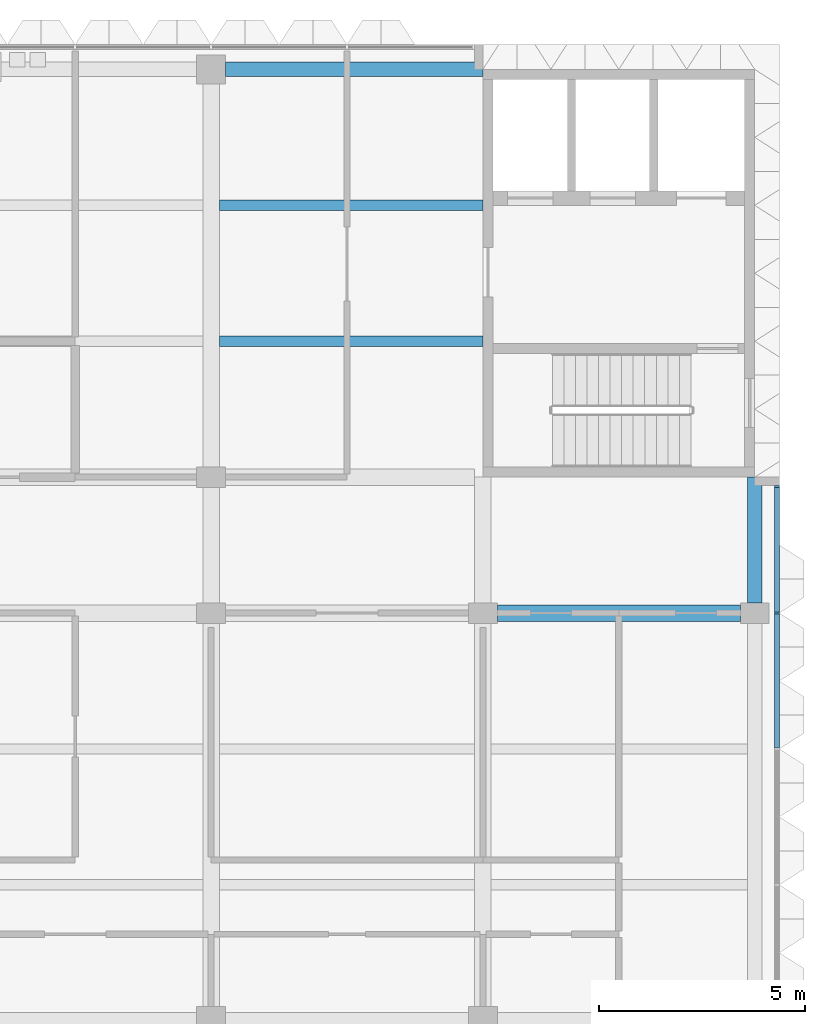
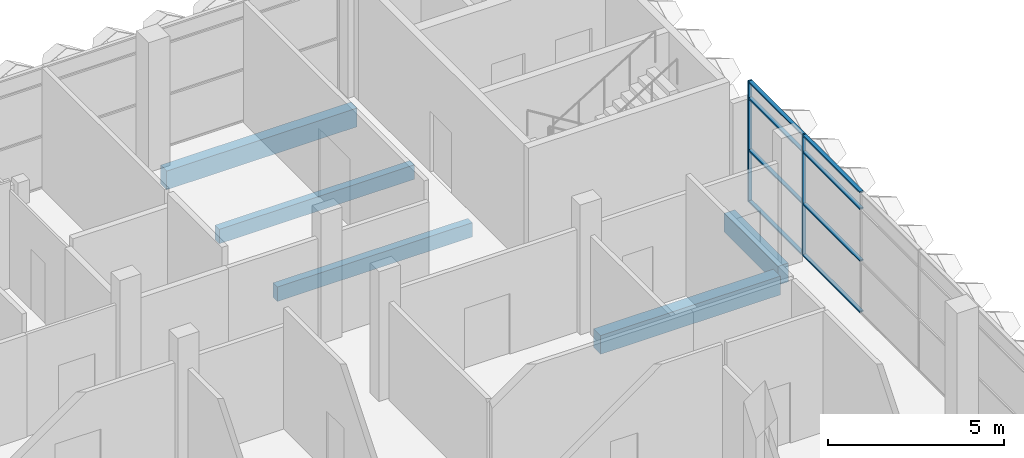
# One storey, part 5 of 28: 10 members, 5 beams, 1 element without a shape of its own.
"""IFC4 building model written with IfcOpenShell, lengths in metres."""

from ifc_helpers import new_model, si_unit, direction, frame, origin, origin_2d, place, context, subcontext, project, spatial, rectangle, extrude, material, material_profile, profile_set, type_object, element, aggregate, save


model = new_model("IFC4")

# Units and contexts
model_context = context("Model", 3, precision=1e-05, world=origin(), true_north=direction((0.0, 1.0)))
body_context = subcontext(model_context, "Body", "Model", "MODEL_VIEW")
ifc_project = project(units=[si_unit("LENGTHUNIT", "METRE"), si_unit("AREAUNIT", "SQUARE_METRE"), si_unit("VOLUMEUNIT", "CUBIC_METRE"), si_unit("PLANEANGLEUNIT", "RADIAN"), si_unit("MASSUNIT", "GRAM", prefix="KILO")], contexts=[model_context])

# Site, building, storey
site_placement = place(None, origin())
site = spatial("IfcSite", under=ifc_project, at=site_placement, CompositionType="ELEMENT")
building_placement = place(site_placement, origin())
building = spatial("IfcBuilding", under=site, at=building_placement, Name="Lantern Court Research Institute", CompositionType="ELEMENT")
storey_placement = place(building_placement, frame((0.0, 0.0, 36.89990234375)))
storey = spatial("IfcBuildingStorey", under=building, at=storey_placement, Name="L08", CompositionType="ELEMENT", Elevation=36.89990234375)

# Curtain wall, members
ifc_material_1 = material(Name="Aluminium alloy 6063-T6", Category="aluminium")
curtain_wall_type = type_object("IfcCurtainWallType", Name="Curtain wall 21250 x 4200 x 120 aluminium frame", PredefinedType="NOTDEFINED", material=ifc_material_1)
curtain_wall_placement = place(storey_placement, origin())
curtain_wall = element("IfcCurtainWall", 1, at=curtain_wall_placement, inside=storey, type_object=curtain_wall_type, Name="Curtain wall CW085", PredefinedType="NOTDEFINED")
ifc_material_2 = material(Name="Aluminium alloy 6063-T6", Category="aluminium")
ifc_material_profile_1 = material_profile(ifc_material_2, rectangle(XDim=0.1201171875, YDim=0.050048828125, at=origin_2d()), Name="Mullion 120 x 50")
ifc_profile_set_1 = profile_set([ifc_material_profile_1], Name="Aluminium alloy 6063-T6")
member_type_1 = type_object("IfcMemberType", Name="Mullion 120 x 50 aluminium", PredefinedType="MULLION", material=ifc_profile_set_1)
member_1_placement = place(storey_placement, frame((79.739990234375, 9.89990234375, 0.0), z_axis=(0.0, 0.0, 1.0), x_axis=(1.0, 0.0, 0.0)))
member_1 = element("IfcMember", 2, at=member_1_placement, type_object=member_type_1, Name="CW085 mullion 7", PredefinedType="MULLION", context=body_context, shape_type="SweptSolid", body=[
    extrude(rectangle(XDim=0.1201171875, YDim=0.050048828125, at=origin_2d()), origin(), (0.0, 0.0, 1.0), 4.2001953125),
])
member_2_placement = place(storey_placement, frame((79.739990234375, 12.97509765625, 0.0), z_axis=(0.0, 0.0, 1.0), x_axis=(1.0, 0.0, 0.0)))
member_2 = element("IfcMember", 3, at=member_2_placement, type_object=member_type_1, Name="CW085 mullion 8", PredefinedType="MULLION", context=body_context, shape_type="SweptSolid", body=[
    extrude(rectangle(XDim=0.1201171875, YDim=0.050048828125, at=origin_2d()), origin(), (0.0, 0.0, 1.0), 4.2001953125),
])

# Beams
ifc_material_3 = material(Name="Concrete C40/50", Category="concrete")
ifc_material_profile_2 = material_profile(ifc_material_3, rectangle(XDim=0.39990234375, YDim=0.64990234375, at=origin_2d()), Name="RC beam 400 x 650")
ifc_profile_set_2 = profile_set([ifc_material_profile_2], Name="Concrete C40/50")
beam_type_1 = type_object("IfcBeamType", Name="RC beam 400 x 650", PredefinedType="BEAM", material=ifc_profile_set_2)
beam_1_placement = place(storey_placement, frame((72.949951171875, 9.89990234375, -0.625), z_axis=(1.0, 0.0, 0.0), x_axis=(0.0, 1.0, 0.0)))
element("IfcBeam", 4, at=beam_1_placement, inside=storey, type_object=beam_type_1, Name="Beam L08 grid B/12-13", PredefinedType="BEAM", context=body_context, shape_type="SweptSolid", body=[
    extrude(rectangle(XDim=0.39990234375, YDim=0.64990234375, at=origin_2d()), origin(), (0.0, 0.0, 1.0), 5.900146484375),
])
ifc_material_4 = material(Name="Concrete C40/50", Category="concrete")
ifc_material_profile_3 = material_profile(ifc_material_4, rectangle(XDim=0.35009765625, YDim=0.64990234375, at=origin_2d()), Name="RC beam 350 x 650")
ifc_profile_set_3 = profile_set([ifc_material_profile_3], Name="Concrete C40/50")
beam_type_2 = type_object("IfcBeamType", Name="RC edge beam 350 x 650", PredefinedType="BEAM", material=ifc_profile_set_3)
beam_2_placement = place(storey_placement, frame((79.199951171875, 10.14990234375, -0.625), z_axis=(0.0, 1.0, 0.0), x_axis=(-1.0, 0.0, 0.0)))
element("IfcBeam", 5, at=beam_2_placement, inside=storey, type_object=beam_type_2, Name="Edge beam L08 grid 13/B-C", PredefinedType="BEAM", context=body_context, shape_type="SweptSolid", body=[
    extrude(rectangle(XDim=0.35009765625, YDim=0.64990234375, at=origin_2d()), origin(), (0.0, 0.0, 1.0), 3.050048828125),
])
beam_3_placement = place(storey_placement, frame((66.35009765625, 23.10009765625, -0.625), z_axis=(1.0, 0.0, 0.0), x_axis=(0.0, 1.0, 0.0)))
element("IfcBeam", 6, at=beam_3_placement, inside=storey, type_object=beam_type_2, Name="Edge beam L08 grid D/11-12", PredefinedType="BEAM", context=body_context, shape_type="SweptSolid", body=[
    extrude(rectangle(XDim=0.35009765625, YDim=0.64990234375, at=origin_2d()), origin(), (0.0, 0.0, 1.0), 6.25),
])
ifc_material_5 = material(Name="Concrete C40/50", Category="concrete")
ifc_material_profile_4 = material_profile(ifc_material_5, rectangle(XDim=0.25, YDim=0.5, at=origin_2d()), Name="RC beam 250 x 500")
ifc_profile_set_4 = profile_set([ifc_material_profile_4], Name="Concrete C40/50")
beam_type_3 = type_object("IfcBeamType", Name="RC secondary beam 250 x 500", PredefinedType="BEAM", material=ifc_profile_set_4)
for number, where, z_axis, x_axis, name in (
    (7, (66.199951171875, 16.5, -0.5498046875), (1.0, 0.0, 0.0), (0.0, 1.0, 0.0), "Secondary beam L08 grids 11-12 / C-D, line 1"),
    (8, (66.199951171875, 19.800048828125, -0.5498046875), (1.0, 0.0, 0.0), (0.0, 1.0, 0.0), "Secondary beam L08 grids 11-12 / C-D, line 2"),
):
    element("IfcBeam", number, at=place(storey_placement, frame(where, z_axis=z_axis, x_axis=x_axis)), inside=storey, type_object=beam_type_3, Name=name, PredefinedType="BEAM", context=body_context, shape_type="SweptSolid", body=[
        extrude(rectangle(XDim=0.25, YDim=0.5, at=origin_2d()), origin(), (0.0, 0.0, 1.0), 6.400146484375),
    ])

# Member
ifc_material_6 = material(Name="Aluminium alloy 6063-T6", Category="aluminium")
ifc_material_profile_5 = material_profile(ifc_material_6, rectangle(XDim=0.1201171875, YDim=0.050048828125, at=origin_2d()), Name="Transom 120 x 50")
ifc_profile_set_5 = profile_set([ifc_material_profile_5], Name="Aluminium alloy 6063-T6")
member_type_2 = type_object("IfcMemberType", Name="Transom 120 x 50 aluminium", PredefinedType="USERDEFINED", material=ifc_profile_set_5)
member_3_placement = place(storey_placement, frame((79.739990234375, 9.875, 0.025146484375), z_axis=(0.0, -1.0, 0.0), x_axis=(1.0, 0.0, 0.0)))
member_3 = element("IfcMember", 9, at=member_3_placement, type_object=member_type_2, Name="CW085 transom 6.1", ObjectType="TRANSOM", PredefinedType="USERDEFINED", context=body_context, shape_type="SweptSolid", body=[
    extrude(rectangle(XDim=0.1201171875, YDim=0.050048828125, at=origin_2d()), origin(), (0.0, 0.0, 1.0), 3.25),
])

member_4_placement = place(storey_placement, frame((79.739990234375, 9.875, 1.800048828125), z_axis=(0.0, -1.0, 0.0), x_axis=(1.0, 0.0, 0.0)))
member_4 = element("IfcMember", 10, at=member_4_placement, type_object=member_type_2, Name="CW085 transom 6.2", ObjectType="TRANSOM", PredefinedType="USERDEFINED", context=body_context, shape_type="SweptSolid", body=[
    extrude(rectangle(XDim=0.1201171875, YDim=0.050048828125, at=origin_2d()), origin(), (0.0, 0.0, 1.0), 3.25),
])

member_5_placement = place(storey_placement, frame((79.739990234375, 9.875, 3.60009765625), z_axis=(0.0, -1.0, 0.0), x_axis=(1.0, 0.0, 0.0)))
member_5 = element("IfcMember", 11, at=member_5_placement, type_object=member_type_2, Name="CW085 transom 6.3", ObjectType="TRANSOM", PredefinedType="USERDEFINED", context=body_context, shape_type="SweptSolid", body=[
    extrude(rectangle(XDim=0.1201171875, YDim=0.050048828125, at=origin_2d()), origin(), (0.0, 0.0, 1.0), 3.25),
])

member_6_placement = place(storey_placement, frame((79.739990234375, 9.875, 4.175048828125), z_axis=(0.0, -1.0, 0.0), x_axis=(1.0, 0.0, 0.0)))
member_6 = element("IfcMember", 12, at=member_6_placement, type_object=member_type_2, Name="CW085 transom 6.4", ObjectType="TRANSOM", PredefinedType="USERDEFINED", context=body_context, shape_type="SweptSolid", body=[
    extrude(rectangle(XDim=0.1201171875, YDim=0.050048828125, at=origin_2d()), origin(), (0.0, 0.0, 1.0), 3.25),
])

member_7_placement = place(storey_placement, frame((79.739990234375, 12.949951171875, 0.025146484375), z_axis=(0.0, -1.0, 0.0), x_axis=(1.0, 0.0, 0.0)))
member_7 = element("IfcMember", 13, at=member_7_placement, type_object=member_type_2, Name="CW085 transom 7.1", ObjectType="TRANSOM", PredefinedType="USERDEFINED", context=body_context, shape_type="SweptSolid", body=[
    extrude(rectangle(XDim=0.1201171875, YDim=0.050048828125, at=origin_2d()), origin(), (0.0, 0.0, 1.0), 3.02490234375),
])

member_8_placement = place(storey_placement, frame((79.739990234375, 12.949951171875, 1.800048828125), z_axis=(0.0, -1.0, 0.0), x_axis=(1.0, 0.0, 0.0)))
member_8 = element("IfcMember", 14, at=member_8_placement, type_object=member_type_2, Name="CW085 transom 7.2", ObjectType="TRANSOM", PredefinedType="USERDEFINED", context=body_context, shape_type="SweptSolid", body=[
    extrude(rectangle(XDim=0.1201171875, YDim=0.050048828125, at=origin_2d()), origin(), (0.0, 0.0, 1.0), 3.02490234375),
])

member_9_placement = place(storey_placement, frame((79.739990234375, 12.949951171875, 3.60009765625), z_axis=(0.0, -1.0, 0.0), x_axis=(1.0, 0.0, 0.0)))
member_9 = element("IfcMember", 15, at=member_9_placement, type_object=member_type_2, Name="CW085 transom 7.3", ObjectType="TRANSOM", PredefinedType="USERDEFINED", context=body_context, shape_type="SweptSolid", body=[
    extrude(rectangle(XDim=0.1201171875, YDim=0.050048828125, at=origin_2d()), origin(), (0.0, 0.0, 1.0), 3.02490234375),
])

member_10_placement = place(storey_placement, frame((79.739990234375, 12.949951171875, 4.175048828125), z_axis=(0.0, -1.0, 0.0), x_axis=(1.0, 0.0, 0.0)))
member_10 = element("IfcMember", 16, at=member_10_placement, type_object=member_type_2, Name="CW085 transom 7.4", ObjectType="TRANSOM", PredefinedType="USERDEFINED", context=body_context, shape_type="SweptSolid", body=[
    extrude(rectangle(XDim=0.1201171875, YDim=0.050048828125, at=origin_2d()), origin(), (0.0, 0.0, 1.0), 3.02490234375),
])

aggregate(curtain_wall, [member_1, member_2, member_3, member_4, member_5, member_6, member_7, member_8, member_9, member_10])

save(model, "model.ifc")
